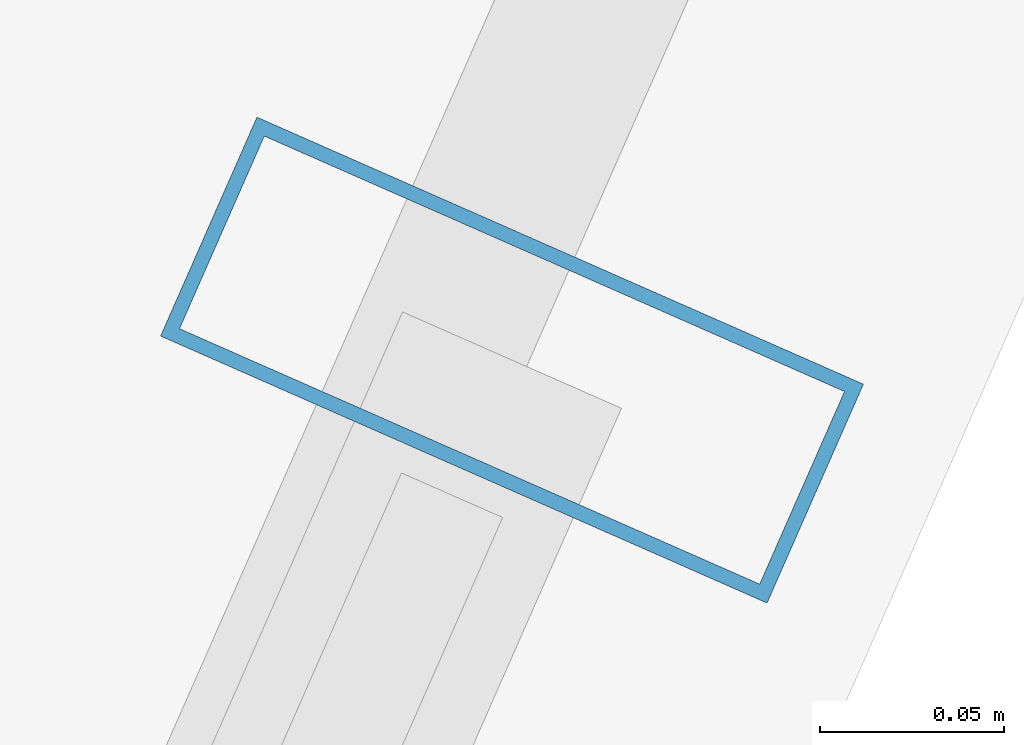
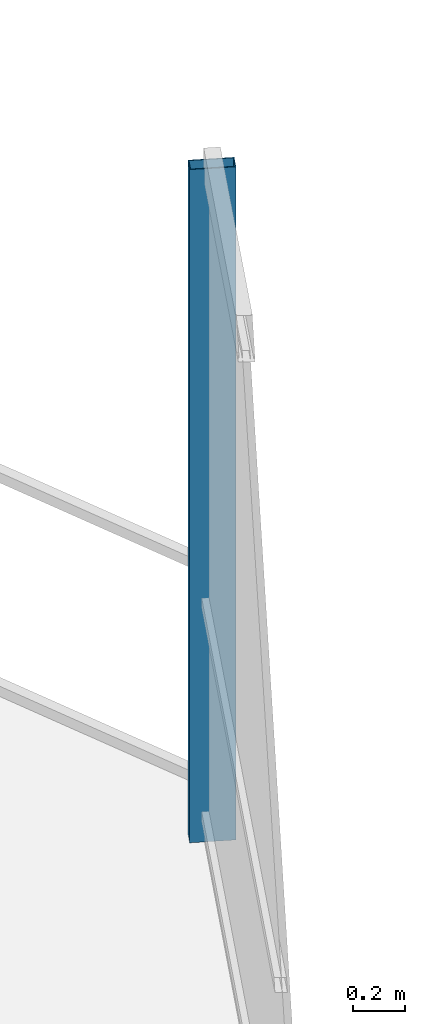
# One storey, part 22 of 30: 1 member, 1 element without a shape of its own.
"""IFC4 building model written with IfcOpenShell, lengths in metres."""

import ifcopenshell
import ifcopenshell.guid

model = None  # the IFC model being written
_history = None  # IfcOwnerHistory: only IFC2X3 demands one
_inside = {}  # id of a spatial element -> (the spatial element, [elements in it])
_under = {}  # id of a project, library or spatial element -> (it, [spatial elements below it])
_declared = {}  # id of a project -> (the project, [libraries it declares])
_typed = {}  # id of a type object -> (the type object, [elements of that type])
_made_of = {}  # id of a material, layer set ... -> (it, [elements and type objects made of it])


def new_model(schema):
    """Start an empty IFC model of exactly this schema.

    Asked for "IFC4X3", IfcOpenShell would pick the latest addendum, in which some entities
    have other attributes; the version numbers below select the first issue.
    IFC2X3 requires an IfcOwnerHistory on every rooted entity: one is made here for all.
    """
    global model, _history
    if schema == "IFC4X3":
        model = ifcopenshell.file(schema_version=(4, 3, 0, 0))
    else:
        model = ifcopenshell.file(schema=schema)
    _inside.clear()
    _under.clear()
    _declared.clear()
    _typed.clear()
    _made_of.clear()
    _history = None
    if model.schema == "IFC2X3":
        org = make("IfcOrganization", Name="unknown")
        user = make(
            "IfcPersonAndOrganization",
            ThePerson=make("IfcPerson", FamilyName="unknown"),
            TheOrganization=org,
        )
        app = make(
            "IfcApplication",
            ApplicationDeveloper=org,
            Version="unknown",
            ApplicationFullName="unknown",
            ApplicationIdentifier="unknown",
        )
        _history = make(
            "IfcOwnerHistory",
            OwningUser=user,
            OwningApplication=app,
            ChangeAction="ADDED",
            CreationDate=0,
        )
    return model


def make(cls, **values):
    """One entity of the class cls with the attributes given. An attribute that is None is left unset."""
    return model.create_entity(
        cls, **{name: value for name, value in values.items() if value is not None}
    )


def rooted(cls, **values):
    """An entity with a GlobalId (a new one), such as an element, a storey or a relation."""
    return make(cls, GlobalId=ifcopenshell.guid.new(), OwnerHistory=_history, **values)


def si_unit(unit_type, name, prefix=None):
    """IfcSIUnit, for example si_unit("LENGTHUNIT", "METRE", prefix="MILLI")."""
    return make("IfcSIUnit", UnitType=unit_type, Prefix=prefix, Name=name)


def assignment(units):
    """IfcUnitAssignment: the units of a project."""
    return None if units is None else make("IfcUnitAssignment", Units=units)


def point(xyz):
    """IfcCartesianPoint."""
    return None if xyz is None else make("IfcCartesianPoint", Coordinates=xyz)


def direction(xyz):
    """IfcDirection."""
    return None if xyz is None else make("IfcDirection", DirectionRatios=xyz)


def frame(location, z_axis=None, x_axis=None):
    """IfcAxis2Placement3D, a coordinate frame: its origin and axes. An axis left out is left unset."""
    return make(
        "IfcAxis2Placement3D",
        Location=point(location),
        Axis=direction(z_axis),
        RefDirection=direction(x_axis),
    )


def frame_2d(location, x_axis=None):
    """IfcAxis2Placement2D, a coordinate frame in the plane: its origin and x axis."""
    return make(
        "IfcAxis2Placement2D", Location=point(location), RefDirection=direction(x_axis)
    )


def origin():
    """The frame at (0, 0, 0) with its axes left unset."""
    return frame((0.0, 0.0, 0.0))


def origin_2d():
    """The frame at (0, 0) in the plane with its x axis left unset."""
    return frame_2d((0.0, 0.0))


def place(relative_to, where):
    """IfcLocalPlacement: puts the frame where relative to a parent placement (None: the world)."""
    return make(
        "IfcLocalPlacement", PlacementRelTo=relative_to, RelativePlacement=where
    )


def context(
    kind, dimensions, precision=None, world=None, true_north=None, identifier=None
):
    """IfcGeometricRepresentationContext, for example the 3D "Model" context."""
    return make(
        "IfcGeometricRepresentationContext",
        ContextIdentifier=identifier,
        ContextType=kind,
        CoordinateSpaceDimension=dimensions,
        Precision=precision,
        WorldCoordinateSystem=world,
        TrueNorth=true_north,
    )


def subcontext(parent, identifier, kind, view, scale=None):
    """IfcGeometricRepresentationSubContext, for example "Body" below "Model"."""
    return make(
        "IfcGeometricRepresentationSubContext",
        ContextIdentifier=identifier,
        ContextType=kind,
        ParentContext=parent,
        TargetScale=scale,
        TargetView=view,
    )


def project(units=None, contexts=None):
    """IfcProject with its units and contexts."""
    return rooted(
        "IfcProject",
        Name="project",
        RepresentationContexts=contexts,
        UnitsInContext=assignment(units),
    )


def spatial(cls, under=None, at=None, **own):
    """A site, building, storey or space (cls), placed at a placement, below another one or the project."""
    s = rooted(cls, ObjectPlacement=at, **own)
    if under is not None:
        _under.setdefault(under.id(), (under, []))[1].append(s)
    return s


def profile(cls, at=None, kind="AREA", **sizes):
    """A parametric profile (cls). Its sizes go by their IFC names, for example OverallWidth=200.0."""
    return make(cls, ProfileType=kind, Position=at, **sizes)


def hollow_rectangle(**sizes):
    """IfcRectangleHollowProfileDef."""
    return profile("IfcRectangleHollowProfileDef", **sizes)


def extrude(swept, where, along, depth):
    """IfcExtrudedAreaSolid: the profile swept, set in the frame where, extruded along a direction by depth."""
    return make(
        "IfcExtrudedAreaSolid",
        SweptArea=swept,
        Position=where,
        ExtrudedDirection=direction(along),
        Depth=depth,
    )


def shape(context_of_items, identifier, shape_type, items):
    """IfcShapeRepresentation: the items that make up one representation, for example the "Body"."""
    return make(
        "IfcShapeRepresentation",
        ContextOfItems=context_of_items,
        RepresentationIdentifier=identifier,
        RepresentationType=shape_type,
        Items=items,
    )


def material(Name=None, Category=None):
    """IfcMaterial."""
    return make("IfcMaterial", Name=Name, Category=Category)


def layer(
    of_material, thickness, ventilated=None, Name=None, Category=None, Priority=None
):
    """IfcMaterialLayer: one layer of a wall or slab, of a material (None: an air gap)."""
    return make(
        "IfcMaterialLayer",
        Material=of_material,
        LayerThickness=thickness,
        IsVentilated=ventilated,
        Name=Name,
        Category=Category,
        Priority=Priority,
    )


def layer_set(layers, Name=None):
    """IfcMaterialLayerSet."""
    return make("IfcMaterialLayerSet", MaterialLayers=layers, LayerSetName=Name)


def material_profile(
    of_material, cross_section, Name=None, Category=None, Priority=None
):
    """IfcMaterialProfile: a cross section and its material."""
    return make(
        "IfcMaterialProfile",
        Name=Name,
        Material=of_material,
        Profile=cross_section,
        Priority=Priority,
        Category=Category,
    )


def profile_set(profiles, Name=None, composite=None):
    """IfcMaterialProfileSet."""
    return make(
        "IfcMaterialProfileSet",
        Name=Name,
        MaterialProfiles=profiles,
        CompositeProfile=composite,
    )


def made_of(thing, what):
    """Note that an element or type object is made of a material, layer set ...; save() writes the relation."""
    if what is not None:
        _made_of.setdefault(what.id(), (what, []))[1].append(thing)
    return thing


def type_object(cls, material=None, **own):
    """A type object (cls), such as IfcWallType, which elements share."""
    return made_of(rooted(cls, **own), material)


def element(
    cls,
    number,
    at=None,
    inside=None,
    cuts=None,
    type_object=None,
    material=None,
    context=None,
    identifier="Body",
    shape_type=None,
    held_by="IfcProductDefinitionShape",
    body=None,
    shapes=None,
    **own,
):
    """One element of the class cls, such as IfcWall. Its Tag is "e" and its number.

    at: its placement. inside: the storey or other place that contains it. cuts: it is an
    opening in that element (IfcRelVoidsElement). A single representation is given by context,
    identifier, shape_type and body (its items); several are given by shapes. held_by: the class
    of the entity that holds the representations. save() writes the other relations.
    """
    e = rooted(cls, Tag="e%d" % number, ObjectPlacement=at, **own)
    if body is not None:
        shapes = [shape(context, identifier, shape_type, body)]
    if shapes is not None:
        e.Representation = make(held_by, Representations=shapes)
    if inside is not None:
        _inside.setdefault(inside.id(), (inside, []))[1].append(e)
    if cuts is not None:
        rooted(
            "IfcRelVoidsElement", RelatingBuildingElement=cuts, RelatedOpeningElement=e
        )
    if type_object is not None:
        _typed.setdefault(type_object.id(), (type_object, []))[1].append(e)
    return made_of(e, material)


def aggregate(whole, parts):
    """IfcRelAggregates: a whole, such as a stair, and the parts it consists of."""
    return rooted("IfcRelAggregates", RelatingObject=whole, RelatedObjects=parts)


def save(model, path):
    """Write the relations noted so far, then the file.

    IfcRelAggregates (storeys below a building ...), IfcRelContainedInSpatialStructure (elements
    in a storey), IfcRelDefinesByType, IfcRelAssociatesMaterial and IfcRelDeclares: one each for
    every whole, place, type object, material and project.
    """
    for whole, parts in _under.values():
        aggregate(whole, parts)
    for where, things in _inside.values():
        rooted(
            "IfcRelContainedInSpatialStructure",
            RelatedElements=things,
            RelatingStructure=where,
        )
    for kind, things in _typed.values():
        rooted("IfcRelDefinesByType", RelatedObjects=things, RelatingType=kind)
    for what, things in _made_of.values():
        rooted("IfcRelAssociatesMaterial", RelatedObjects=things, RelatingMaterial=what)
    for by, libraries in _declared.values():
        rooted("IfcRelDeclares", RelatingContext=by, RelatedDefinitions=libraries)
    model.write(path)


model = new_model("IFC4")

# Units and contexts
model_context = context("Model", 3, precision=1e-05, world=origin(), true_north=direction((0.0, 1.0)))
body_context = subcontext(model_context, "Body", "Model", "MODEL_VIEW")
ifc_project = project(units=[si_unit("LENGTHUNIT", "METRE"), si_unit("AREAUNIT", "SQUARE_METRE"), si_unit("VOLUMEUNIT", "CUBIC_METRE"), si_unit("PLANEANGLEUNIT", "RADIAN"), si_unit("MASSUNIT", "GRAM", prefix="KILO")], contexts=[model_context])

# Site, building, storey
site_placement = place(None, origin())
site = spatial("IfcSite", under=ifc_project, at=site_placement, CompositionType="ELEMENT")
building_placement = place(site_placement, origin())
building = spatial("IfcBuilding", under=site, at=building_placement, Name="Qarnah Convention Tower", CompositionType="ELEMENT")
storey_placement = place(building_placement, frame((0.0, 0.0, 90.14990234375)))
storey = spatial("IfcBuildingStorey", under=building, at=storey_placement, Name="L23", CompositionType="ELEMENT", Elevation=90.14990234375)

# Curtain wall, member
ifc_material_1 = material(Name="Tempered Low-E dark glass", Category="glass")
ifc_layer = layer(ifc_material_1, 0.169921875)
ifc_layer_set = layer_set([ifc_layer], Name="Tempered Low-E dark glass")
curtain_wall_type = type_object("IfcCurtainWallType", Name="CWS-02", PredefinedType="NOTDEFINED", material=ifc_layer_set)
curtain_wall_placement = place(storey_placement, origin())
curtain_wall = element("IfcCurtainWall", 1, at=curtain_wall_placement, inside=storey, type_object=curtain_wall_type, Name="L23 unitised curtain wall CW-L23-F2", PredefinedType="NOTDEFINED")
ifc_material_2 = material(Name="Black anodised aluminium", Category="aluminium")
ifc_material_profile = material_profile(ifc_material_2, hollow_rectangle(XDim=0.06494140625, YDim=0.179931640625, WallThickness=0.00390625, at=origin_2d()), Name="MUL-65X180")
ifc_profile_set = profile_set([ifc_material_profile], Name="Black anodised aluminium")
member_type = type_object("IfcMemberType", Name="MUL-T2", PredefinedType="MULLION", material=ifc_profile_set)
member_placement = place(storey_placement, frame((61.340087890625, 34.132080078125, 0.0), z_axis=(0.0, 0.0, 1.0), x_axis=(-0.402913592041, -0.915238022237, 0.0)))
member = element("IfcMember", 2, at=member_placement, type_object=member_type, Name="CW-L23-F2 mullion 1", PredefinedType="MULLION", context=body_context, shape_type="SweptSolid", body=[
    extrude(hollow_rectangle(XDim=0.06494140625, YDim=0.179931640625, WallThickness=0.00390625, at=origin_2d()), origin(), (0.0, 0.0, 1.0), 3.170166015625),
])
aggregate(curtain_wall, [member])

save(model, "model.ifc")
